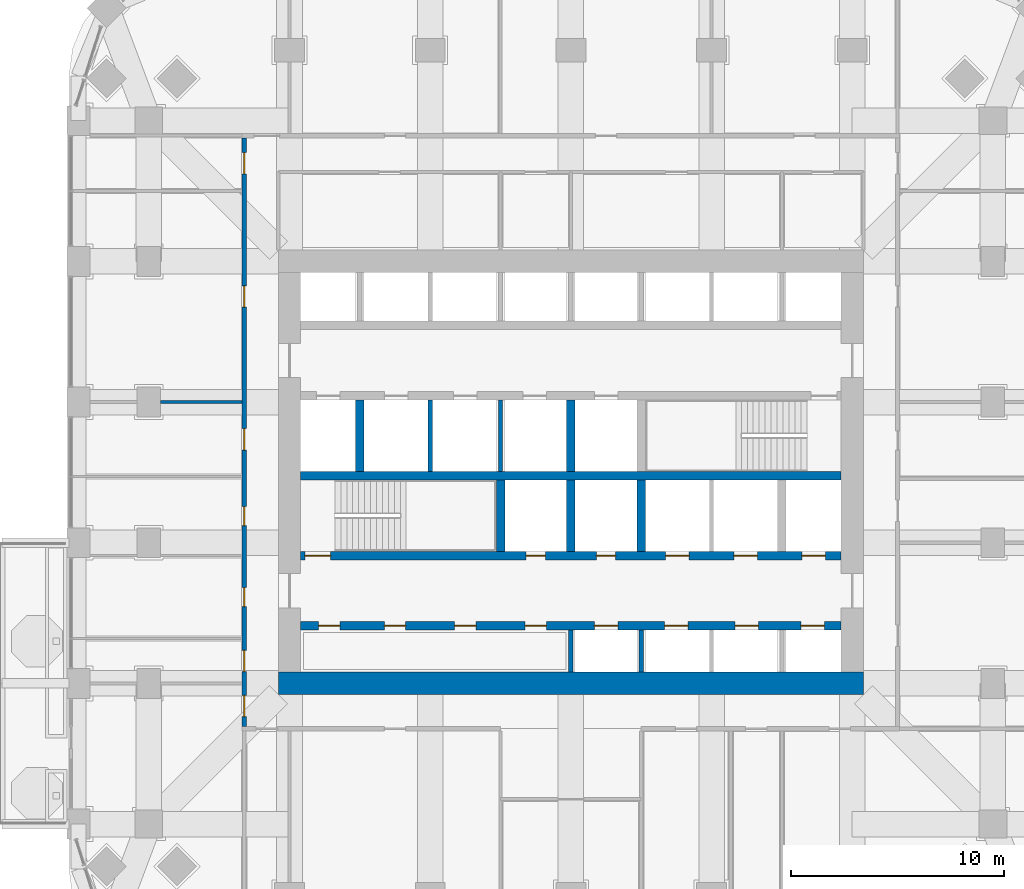
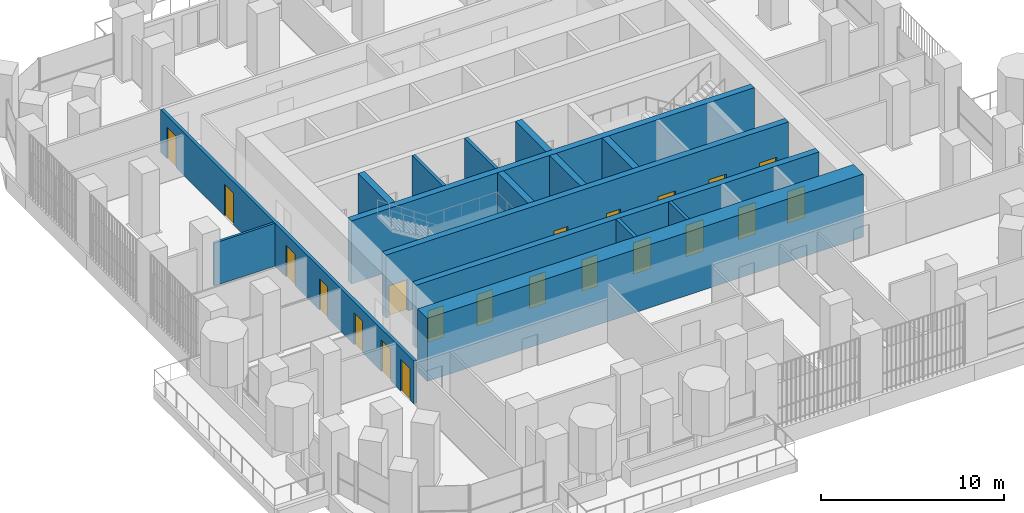
# One storey, part 14 of 21: 21 doors, 15 walls, 21 openings.
"""IFC4 building model written with IfcOpenShell, lengths in metres."""

from ifc_helpers import new_model, si_unit, direction, frame, frame_2d, origin, place, context, subcontext, project, spatial, rectangle, extrude, material, layer, layer_set, type_object, element, fill, save


model = new_model("IFC4")

# Units and contexts
model_context = context("Model", 3, precision=1e-05, world=origin(), true_north=direction((0.0, 1.0)))
body_context = subcontext(model_context, "Body", "Model", "MODEL_VIEW")
ifc_project = project(units=[si_unit("LENGTHUNIT", "METRE"), si_unit("AREAUNIT", "SQUARE_METRE"), si_unit("VOLUMEUNIT", "CUBIC_METRE"), si_unit("PLANEANGLEUNIT", "RADIAN"), si_unit("MASSUNIT", "GRAM", prefix="KILO")], contexts=[model_context])

# Site, building, storey
site_placement = place(None, origin())
site = spatial("IfcSite", under=ifc_project, at=site_placement, CompositionType="ELEMENT")
building_placement = place(site_placement, origin())
building = spatial("IfcBuilding", under=site, at=building_placement, Name="Cobogo Forest Laboratory Tower", CompositionType="ELEMENT")
storey_placement = place(building_placement, frame((0.0, 0.0, 115.800048828125)))
storey = spatial("IfcBuildingStorey", under=building, at=storey_placement, Name="L26", CompositionType="ELEMENT", Elevation=115.800048828125)

# Wall, openings, doors
ifc_material_1 = material(Name="Concrete HA-50 (C50/60)", Category="concrete")
ifc_layer_1 = layer(ifc_material_1, 0.39990234375)
ifc_layer_set_1 = layer_set([ifc_layer_1], Name="CI400 core inner wall 400")
wall_type_1 = type_object("IfcWallType", Name="CI400 core inner wall 400", PredefinedType="SHEAR", material=ifc_layer_set_1)
wall_1_placement = place(storey_placement, frame((13.72509765625, 15.89990234375, 0.0), z_axis=(0.0, 0.0, 1.0), x_axis=(1.0, 0.0, 0.0)))
wall_1 = element("IfcWall", 1, at=wall_1_placement, inside=storey, type_object=wall_type_1, Name="Core wall CI-15.9 L26", PredefinedType="SHEAR", context=body_context, shape_type="SweptSolid", body=[
    extrude(rectangle(XDim=25.349853515625, YDim=0.39990234375, at=frame_2d((12.6748046875, 0.0))), origin(), (0.0, 0.0, 1.0), 4.199951171875),
])
opening_1_placement = place(wall_1_placement, frame((0.83740234375, 0.0, 0.0)))
opening_1 = element("IfcOpeningElement", 2, at=opening_1_placement, cuts=wall_1, Name="Opening L26-D16", PredefinedType="OPENING", context=body_context, shape_type="SweptSolid", body=[
    extrude(rectangle(XDim=1.0, YDim=2.10009765625, at=frame_2d((0.5, 1.050048828125))), frame((0.0, 0.2099609375, 0.0), z_axis=(0.0, -1.0, 0.0), x_axis=(1.0, 0.0, 0.0)), (0.0, 0.0, 1.0), 0.419921875),
])
opening_2_placement = place(wall_1_placement, frame((3.925048828125, 0.0, 0.0)))
opening_2 = element("IfcOpeningElement", 3, at=opening_2_placement, cuts=wall_1, Name="Opening L26-D17", PredefinedType="OPENING", context=body_context, shape_type="SweptSolid", body=[
    extrude(rectangle(XDim=1.0, YDim=2.10009765625, at=frame_2d((0.5, 1.050048828125))), frame((0.0, 0.2099609375, 0.0), z_axis=(0.0, -1.0, 0.0), x_axis=(1.0, 0.0, 0.0)), (0.0, 0.0, 1.0), 0.419921875),
])
opening_3_placement = place(wall_1_placement, frame((7.22509765625, 0.0, 0.0)))
opening_3 = element("IfcOpeningElement", 4, at=opening_3_placement, cuts=wall_1, Name="Opening L26-D18", PredefinedType="OPENING", context=body_context, shape_type="SweptSolid", body=[
    extrude(rectangle(XDim=1.0, YDim=2.10009765625, at=frame_2d((0.5, 1.050048828125))), frame((0.0, 0.2099609375, 0.0), z_axis=(0.0, -1.0, 0.0), x_axis=(1.0, 0.0, 0.0)), (0.0, 0.0, 1.0), 0.419921875),
])
opening_4_placement = place(wall_1_placement, frame((10.52490234375, 0.0, 0.0)))
opening_4 = element("IfcOpeningElement", 5, at=opening_4_placement, cuts=wall_1, Name="Opening L26-D19", PredefinedType="OPENING", context=body_context, shape_type="SweptSolid", body=[
    extrude(rectangle(XDim=1.0, YDim=2.10009765625, at=frame_2d((0.5, 1.050048828125))), frame((0.0, 0.2099609375, 0.0), z_axis=(0.0, -1.0, 0.0), x_axis=(1.0, 0.0, 0.0)), (0.0, 0.0, 1.0), 0.419921875),
])
opening_5_placement = place(wall_1_placement, frame((13.77490234375, 0.0, 0.0)))
opening_5 = element("IfcOpeningElement", 6, at=opening_5_placement, cuts=wall_1, Name="Opening L26-LD-LB1", PredefinedType="OPENING", context=body_context, shape_type="SweptSolid", body=[
    extrude(rectangle(XDim=1.10009765625, YDim=2.10009765625, at=frame_2d((0.550048828125, 1.050048828125))), frame((0.0, 0.2099609375, 0.0), z_axis=(0.0, -1.0, 0.0), x_axis=(1.0, 0.0, 0.0)), (0.0, 0.0, 1.0), 0.419921875),
])
opening_6_placement = place(wall_1_placement, frame((17.074951171875, 0.0, 0.0)))
opening_6 = element("IfcOpeningElement", 7, at=opening_6_placement, cuts=wall_1, Name="Opening L26-LD-LB2", PredefinedType="OPENING", context=body_context, shape_type="SweptSolid", body=[
    extrude(rectangle(XDim=1.10009765625, YDim=2.10009765625, at=frame_2d((0.550048828125, 1.050048828125))), frame((0.0, 0.2099609375, 0.0), z_axis=(0.0, -1.0, 0.0), x_axis=(1.0, 0.0, 0.0)), (0.0, 0.0, 1.0), 0.419921875),
])
opening_7_placement = place(wall_1_placement, frame((20.375, 0.0, 0.0)))
opening_7 = element("IfcOpeningElement", 8, at=opening_7_placement, cuts=wall_1, Name="Opening L26-LD-LB3", PredefinedType="OPENING", context=body_context, shape_type="SweptSolid", body=[
    extrude(rectangle(XDim=1.10009765625, YDim=2.10009765625, at=frame_2d((0.550048828125, 1.050048828125))), frame((0.0, 0.2099609375, 0.0), z_axis=(0.0, -1.0, 0.0), x_axis=(1.0, 0.0, 0.0)), (0.0, 0.0, 1.0), 0.419921875),
])
opening_8_placement = place(wall_1_placement, frame((23.46240234375, 0.0, 0.0)))
opening_8 = element("IfcOpeningElement", 9, at=opening_8_placement, cuts=wall_1, Name="Opening L26-LD-LB4", PredefinedType="OPENING", context=body_context, shape_type="SweptSolid", body=[
    extrude(rectangle(XDim=1.10009765625, YDim=2.10009765625, at=frame_2d((0.550048828125, 1.050048828125))), frame((0.0, 0.2099609375, 0.0), z_axis=(0.0, -1.0, 0.0), x_axis=(1.0, 0.0, 0.0)), (0.0, 0.0, 1.0), 0.419921875),
])
ifc_material_2 = material(Name="Steel fire door", Category="steel")
door_type_1 = type_object("IfcDoorType", Name="FD1 fire door 1000 EI2 60", OperationType="SINGLE_SWING_LEFT", PredefinedType="DOOR", material=ifc_material_2)
door_1_placement = place(opening_1_placement, origin())
door_1 = element("IfcDoor", 10, at=door_1_placement, inside=storey, type_object=door_type_1, Name="Door L26-SH-LA1", OperationType="SINGLE_SWING_LEFT", OverallHeight=2.10009765625, OverallWidth=1.0, PredefinedType="DOOR", context=body_context, shape_type="SweptSolid", body=[
    extrude(rectangle(XDim=1.0, YDim=2.10009765625, at=frame_2d((0.5, 1.050048828125))), frame((0.0, 0.02490234375, 0.0), z_axis=(0.0, -1.0, 0.0), x_axis=(1.0, 0.0, 0.0)), (0.0, 0.0, 1.0), 0.050048828125),
])
fill(opening_1, door_1)
door_2_placement = place(opening_2_placement, origin())
door_2 = element("IfcDoor", 11, at=door_2_placement, inside=storey, type_object=door_type_1, Name="Door L26-SH-LA2", OperationType="SINGLE_SWING_LEFT", OverallHeight=2.10009765625, OverallWidth=1.0, PredefinedType="DOOR", context=body_context, shape_type="SweptSolid", body=[
    extrude(rectangle(XDim=1.0, YDim=2.10009765625, at=frame_2d((0.5, 1.050048828125))), frame((0.0, 0.02490234375, 0.0), z_axis=(0.0, -1.0, 0.0), x_axis=(1.0, 0.0, 0.0)), (0.0, 0.0, 1.0), 0.050048828125),
])
fill(opening_2, door_2)
door_3_placement = place(opening_3_placement, origin())
door_3 = element("IfcDoor", 12, at=door_3_placement, inside=storey, type_object=door_type_1, Name="Door L26-SH-LA3", OperationType="SINGLE_SWING_LEFT", OverallHeight=2.10009765625, OverallWidth=1.0, PredefinedType="DOOR", context=body_context, shape_type="SweptSolid", body=[
    extrude(rectangle(XDim=1.0, YDim=2.10009765625, at=frame_2d((0.5, 1.050048828125))), frame((0.0, 0.02490234375, 0.0), z_axis=(0.0, -1.0, 0.0), x_axis=(1.0, 0.0, 0.0)), (0.0, 0.0, 1.0), 0.050048828125),
])
fill(opening_3, door_3)
door_4_placement = place(opening_4_placement, origin())
door_4 = element("IfcDoor", 13, at=door_4_placement, inside=storey, type_object=door_type_1, Name="Door L26-SH-LA4", OperationType="SINGLE_SWING_LEFT", OverallHeight=2.10009765625, OverallWidth=1.0, PredefinedType="DOOR", context=body_context, shape_type="SweptSolid", body=[
    extrude(rectangle(XDim=1.0, YDim=2.10009765625, at=frame_2d((0.5, 1.050048828125))), frame((0.0, 0.02490234375, 0.0), z_axis=(0.0, -1.0, 0.0), x_axis=(1.0, 0.0, 0.0)), (0.0, 0.0, 1.0), 0.050048828125),
])
fill(opening_4, door_4)
ifc_material_3 = material(Name="Stainless steel lift door", Category="steel")
door_type_2 = type_object("IfcDoorType", Name="LD lift landing door 1100", OperationType="DOUBLE_DOOR_SLIDING", PredefinedType="DOOR", material=ifc_material_3)
door_5_placement = place(opening_5_placement, origin())
door_5 = element("IfcDoor", 14, at=door_5_placement, inside=storey, type_object=door_type_2, Name="Lift landing door LB1 L26", OperationType="DOUBLE_DOOR_SLIDING", OverallHeight=2.10009765625, OverallWidth=1.10009765625, PredefinedType="DOOR", context=body_context, shape_type="SweptSolid", body=[
    extrude(rectangle(XDim=1.10009765625, YDim=2.10009765625, at=frame_2d((0.550048828125, 1.050048828125))), frame((0.0, 0.02490234375, 0.0), z_axis=(0.0, -1.0, 0.0), x_axis=(1.0, 0.0, 0.0)), (0.0, 0.0, 1.0), 0.050048828125),
])
fill(opening_5, door_5)
door_6_placement = place(opening_6_placement, origin())
door_6 = element("IfcDoor", 15, at=door_6_placement, inside=storey, type_object=door_type_2, Name="Lift landing door LB2 L26", OperationType="DOUBLE_DOOR_SLIDING", OverallHeight=2.10009765625, OverallWidth=1.10009765625, PredefinedType="DOOR", context=body_context, shape_type="SweptSolid", body=[
    extrude(rectangle(XDim=1.10009765625, YDim=2.10009765625, at=frame_2d((0.550048828125, 1.050048828125))), frame((0.0, 0.02490234375, 0.0), z_axis=(0.0, -1.0, 0.0), x_axis=(1.0, 0.0, 0.0)), (0.0, 0.0, 1.0), 0.050048828125),
])
fill(opening_6, door_6)
door_7_placement = place(opening_7_placement, origin())
door_7 = element("IfcDoor", 16, at=door_7_placement, inside=storey, type_object=door_type_2, Name="Lift landing door LB3 L26", OperationType="DOUBLE_DOOR_SLIDING", OverallHeight=2.10009765625, OverallWidth=1.10009765625, PredefinedType="DOOR", context=body_context, shape_type="SweptSolid", body=[
    extrude(rectangle(XDim=1.10009765625, YDim=2.10009765625, at=frame_2d((0.550048828125, 1.050048828125))), frame((0.0, 0.02490234375, 0.0), z_axis=(0.0, -1.0, 0.0), x_axis=(1.0, 0.0, 0.0)), (0.0, 0.0, 1.0), 0.050048828125),
])
fill(opening_7, door_7)
door_8_placement = place(opening_8_placement, origin())
door_8 = element("IfcDoor", 17, at=door_8_placement, inside=storey, type_object=door_type_2, Name="Lift landing door LB4 L26", OperationType="DOUBLE_DOOR_SLIDING", OverallHeight=2.10009765625, OverallWidth=1.10009765625, PredefinedType="DOOR", context=body_context, shape_type="SweptSolid", body=[
    extrude(rectangle(XDim=1.10009765625, YDim=2.10009765625, at=frame_2d((0.550048828125, 1.050048828125))), frame((0.0, 0.02490234375, 0.0), z_axis=(0.0, -1.0, 0.0), x_axis=(1.0, 0.0, 0.0)), (0.0, 0.0, 1.0), 0.050048828125),
])
fill(opening_8, door_8)

wall_2_placement = place(storey_placement, frame((13.72509765625, 19.199951171875, 0.0), z_axis=(0.0, 0.0, 1.0), x_axis=(1.0, 0.0, 0.0)))
wall_2 = element("IfcWall", 18, at=wall_2_placement, inside=storey, type_object=wall_type_1, Name="Core wall CI-19.2 L26", PredefinedType="SHEAR", context=body_context, shape_type="SweptSolid", body=[
    extrude(rectangle(XDim=25.349853515625, YDim=0.39990234375, at=frame_2d((12.6748046875, 0.0))), origin(), (0.0, 0.0, 1.0), 4.199951171875),
])
opening_9_placement = place(wall_2_placement, frame((10.574951171875, 0.0, 0.0)))
opening_9 = element("IfcOpeningElement", 19, at=opening_9_placement, cuts=wall_2, Name="Opening L26-D24", PredefinedType="OPENING", context=body_context, shape_type="SweptSolid", body=[
    extrude(rectangle(XDim=0.89990234375, YDim=2.10009765625, at=frame_2d((0.449951171875, 1.050048828125))), frame((0.0, 0.2099609375, 0.0), z_axis=(0.0, -1.0, 0.0), x_axis=(1.0, 0.0, 0.0)), (0.0, 0.0, 1.0), 0.419921875),
])
opening_10_placement = place(wall_2_placement, frame((13.875, 0.0, 0.0)))
opening_10 = element("IfcOpeningElement", 20, at=opening_10_placement, cuts=wall_2, Name="Opening L26-D25", PredefinedType="OPENING", context=body_context, shape_type="SweptSolid", body=[
    extrude(rectangle(XDim=0.89990234375, YDim=2.10009765625, at=frame_2d((0.449951171875, 1.050048828125))), frame((0.0, 0.2099609375, 0.0), z_axis=(0.0, -1.0, 0.0), x_axis=(1.0, 0.0, 0.0)), (0.0, 0.0, 1.0), 0.419921875),
])
opening_11_placement = place(wall_2_placement, frame((0.199951171875, 0.0, 0.0)))
opening_11 = element("IfcOpeningElement", 21, at=opening_11_placement, cuts=wall_2, Name="Opening L26-D23", PredefinedType="OPENING", context=body_context, shape_type="SweptSolid", body=[
    extrude(rectangle(XDim=1.199951171875, YDim=2.10009765625, at=frame_2d((0.60009765625, 1.050048828125))), frame((0.0, 0.2099609375, 0.0), z_axis=(0.0, -1.0, 0.0), x_axis=(1.0, 0.0, 0.0)), (0.0, 0.0, 1.0), 0.419921875),
])
opening_12_placement = place(wall_2_placement, frame((23.512451171875, 0.0, 0.0)))
opening_12 = element("IfcOpeningElement", 22, at=opening_12_placement, cuts=wall_2, Name="Opening L26-LD-FL2", PredefinedType="OPENING", context=body_context, shape_type="SweptSolid", body=[
    extrude(rectangle(XDim=1.10009765625, YDim=2.10009765625, at=frame_2d((0.550048828125, 1.050048828125))), frame((0.0, 0.2099609375, 0.0), z_axis=(0.0, -1.0, 0.0), x_axis=(1.0, 0.0, 0.0)), (0.0, 0.0, 1.0), 0.419921875),
])
opening_13_placement = place(wall_2_placement, frame((17.125, 0.0, 0.0)))
opening_13 = element("IfcOpeningElement", 23, at=opening_13_placement, cuts=wall_2, Name="Opening L26-LD-LS1", PredefinedType="OPENING", context=body_context, shape_type="SweptSolid", body=[
    extrude(rectangle(XDim=1.10009765625, YDim=2.10009765625, at=frame_2d((0.550048828125, 1.050048828125))), frame((0.0, 0.2099609375, 0.0), z_axis=(0.0, -1.0, 0.0), x_axis=(1.0, 0.0, 0.0)), (0.0, 0.0, 1.0), 0.419921875),
])
opening_14_placement = place(wall_2_placement, frame((20.324951171875, 0.0, 0.0)))
opening_14 = element("IfcOpeningElement", 24, at=opening_14_placement, cuts=wall_2, Name="Opening L26-LD-LS2", PredefinedType="OPENING", context=body_context, shape_type="SweptSolid", body=[
    extrude(rectangle(XDim=1.10009765625, YDim=2.10009765625, at=frame_2d((0.550048828125, 1.050048828125))), frame((0.0, 0.2099609375, 0.0), z_axis=(0.0, -1.0, 0.0), x_axis=(1.0, 0.0, 0.0)), (0.0, 0.0, 1.0), 0.419921875),
])
door_type_3 = type_object("IfcDoorType", Name="DS1 protected stair door 1200 EI2 60", OperationType="SINGLE_SWING_LEFT", PredefinedType="DOOR", material=ifc_material_2)
door_9_placement = place(opening_11_placement, origin())
door_9 = element("IfcDoor", 25, at=door_9_placement, inside=storey, type_object=door_type_3, Name="Door L26-ST1", OperationType="SINGLE_SWING_LEFT", OverallHeight=2.10009765625, OverallWidth=1.199951171875, PredefinedType="DOOR", context=body_context, shape_type="SweptSolid", body=[
    extrude(rectangle(XDim=1.199951171875, YDim=2.10009765625, at=frame_2d((0.60009765625, 1.050048828125))), frame((0.0, 0.02490234375, 0.0), z_axis=(0.0, -1.0, 0.0), x_axis=(1.0, 0.0, 0.0)), (0.0, 0.0, 1.0), 0.050048828125),
])
fill(opening_11, door_9)
door_type_4 = type_object("IfcDoorType", Name="FD4 riser access door 900 EI2 60", OperationType="SINGLE_SWING_LEFT", PredefinedType="DOOR", material=ifc_material_2)
door_10_placement = place(opening_9_placement, origin())
door_10 = element("IfcDoor", 26, at=door_10_placement, inside=storey, type_object=door_type_4, Name="Door L26-R1", OperationType="SINGLE_SWING_LEFT", OverallHeight=2.10009765625, OverallWidth=0.89990234375, PredefinedType="DOOR", context=body_context, shape_type="SweptSolid", body=[
    extrude(rectangle(XDim=0.89990234375, YDim=2.10009765625, at=frame_2d((0.449951171875, 1.050048828125))), frame((0.0, 0.02490234375, 0.0), z_axis=(0.0, -1.0, 0.0), x_axis=(1.0, 0.0, 0.0)), (0.0, 0.0, 1.0), 0.050048828125),
])
fill(opening_9, door_10)
door_11_placement = place(opening_10_placement, origin())
door_11 = element("IfcDoor", 27, at=door_11_placement, inside=storey, type_object=door_type_4, Name="Door L26-R2", OperationType="SINGLE_SWING_RIGHT", OverallHeight=2.10009765625, OverallWidth=0.89990234375, PredefinedType="DOOR", context=body_context, shape_type="SweptSolid", body=[
    extrude(rectangle(XDim=0.89990234375, YDim=2.10009765625, at=frame_2d((0.449951171875, 1.050048828125))), frame((0.0, 0.02490234375, 0.0), z_axis=(0.0, -1.0, 0.0), x_axis=(1.0, 0.0, 0.0)), (0.0, 0.0, 1.0), 0.050048828125),
])
fill(opening_10, door_11)
door_12_placement = place(opening_12_placement, origin())
door_12 = element("IfcDoor", 28, at=door_12_placement, inside=storey, type_object=door_type_2, Name="Lift landing door FL2 L26", OperationType="DOUBLE_DOOR_SLIDING", OverallHeight=2.10009765625, OverallWidth=1.10009765625, PredefinedType="DOOR", context=body_context, shape_type="SweptSolid", body=[
    extrude(rectangle(XDim=1.10009765625, YDim=2.10009765625, at=frame_2d((0.550048828125, 1.050048828125))), frame((0.0, 0.02490234375, 0.0), z_axis=(0.0, -1.0, 0.0), x_axis=(1.0, 0.0, 0.0)), (0.0, 0.0, 1.0), 0.050048828125),
])
fill(opening_12, door_12)
door_13_placement = place(opening_13_placement, origin())
door_13 = element("IfcDoor", 29, at=door_13_placement, inside=storey, type_object=door_type_2, Name="Lift landing door LS1 L26", OperationType="DOUBLE_DOOR_SLIDING", OverallHeight=2.10009765625, OverallWidth=1.10009765625, PredefinedType="DOOR", context=body_context, shape_type="SweptSolid", body=[
    extrude(rectangle(XDim=1.10009765625, YDim=2.10009765625, at=frame_2d((0.550048828125, 1.050048828125))), frame((0.0, 0.02490234375, 0.0), z_axis=(0.0, -1.0, 0.0), x_axis=(1.0, 0.0, 0.0)), (0.0, 0.0, 1.0), 0.050048828125),
])
fill(opening_13, door_13)
door_14_placement = place(opening_14_placement, origin())
door_14 = element("IfcDoor", 30, at=door_14_placement, inside=storey, type_object=door_type_2, Name="Lift landing door LS2 L26", OperationType="DOUBLE_DOOR_SLIDING", OverallHeight=2.10009765625, OverallWidth=1.10009765625, PredefinedType="DOOR", context=body_context, shape_type="SweptSolid", body=[
    extrude(rectangle(XDim=1.10009765625, YDim=2.10009765625, at=frame_2d((0.550048828125, 1.050048828125))), frame((0.0, 0.02490234375, 0.0), z_axis=(0.0, -1.0, 0.0), x_axis=(1.0, 0.0, 0.0)), (0.0, 0.0, 1.0), 0.050048828125),
])
fill(opening_14, door_14)

# Walls
wall_3_placement = place(storey_placement, frame((13.72509765625, 22.949951171875, 0.0), z_axis=(0.0, 0.0, 1.0), x_axis=(1.0, 0.0, 0.0)))
element("IfcWall", 31, at=wall_3_placement, inside=storey, type_object=wall_type_1, Name="Core wall CI-22.95 L26", PredefinedType="SHEAR", context=body_context, shape_type="SweptSolid", body=[
    extrude(rectangle(XDim=25.349853515625, YDim=0.39990234375, at=frame_2d((12.6748046875, 0.0))), origin(), (0.0, 0.0, 1.0), 4.199951171875),
])
for number, where, z_axis, x_axis, name in (
    (32, (23.10009765625, 19.39990234375, 0.0), (0.0, 0.0, 1.0), (0.0, 1.0, 0.0), "Core wall CX-23.1 L26"),
    (33, (26.39990234375, 19.39990234375, 0.0), (0.0, 0.0, 1.0), (0.0, 1.0, 0.0), "Core wall CX-26.4S L26"),
    (34, (29.699951171875, 19.39990234375, 0.0), (0.0, 0.0, 1.0), (0.0, 1.0, 0.0), "Core wall CX-29.7S L26"),
    (35, (16.5, 23.14990234375, 0.0), (0.0, 0.0, 1.0), (0.0, 1.0, 0.0), "Core wall CX-16.5 L26"),
    (36, (26.39990234375, 23.14990234375, 0.0), (0.0, 0.0, 1.0), (0.0, 1.0, 0.0), "Core wall CX-26.4N L26"),
):
    element("IfcWall", number, at=place(storey_placement, frame(where, z_axis=z_axis, x_axis=x_axis)), inside=storey, type_object=wall_type_1, Name=name, PredefinedType="SHEAR", context=body_context, shape_type="SweptSolid", body=[
        extrude(rectangle(XDim=3.35009765625, YDim=0.39990234375, at=frame_2d((1.675048828125, 0.0))), origin(), (0.0, 0.0, 1.0), 4.199951171875),
    ])
ifc_layer_2 = layer(ifc_material_1, 1.050048828125)
ifc_layer_set_2 = layer_set([ifc_layer_2], Name="CW1050 core outer wall 1050")
wall_type_2 = type_object("IfcWallType", Name="CW1050 core outer wall 1050", PredefinedType="SHEAR", material=ifc_layer_set_2)
wall_4_placement = place(storey_placement, frame((12.675048828125, 13.199951171875, 0.0), z_axis=(0.0, 0.0, 1.0), x_axis=(1.0, 0.0, 0.0)))
element("IfcWall", 37, at=wall_4_placement, inside=storey, type_object=wall_type_2, Name="Core wall CO-S L26", PredefinedType="SHEAR", context=body_context, shape_type="SweptSolid", body=[
    extrude(rectangle(XDim=27.449951171875, YDim=1.050048828125, at=frame_2d((13.72509765625, 0.0))), origin(), (0.0, 0.0, 1.0), 4.199951171875),
])
ifc_material_4 = material(Name="Gypsum board on steel studs", Category="steel")
ifc_layer_3 = layer(ifc_material_4, 0.14990234375)
ifc_layer_set_3 = layer_set([ifc_layer_3], Name="PT1 laboratory partition 150")
wall_type_3 = type_object("IfcWallType", Name="PT1 laboratory partition 150", PredefinedType="PARTITIONING", material=ifc_layer_set_3)
wall_5_placement = place(storey_placement, frame((7.14990234375, 26.39990234375, 0.0), z_axis=(0.0, 0.0, 1.0), x_axis=(1.0, 0.0, 0.0)))
element("IfcWall", 38, at=wall_5_placement, inside=storey, type_object=wall_type_3, Name="Partition CUT-W26.4-2 L26", PredefinedType="PARTITIONING", context=body_context, shape_type="SweptSolid", body=[
    extrude(rectangle(XDim=3.8251953125, YDim=0.14990234375, at=frame_2d((1.91259765625, 0.0))), origin(), (0.0, 0.0, 1.0), 2.849853515625),
])

# Wall, openings, doors
ifc_layer_4 = layer(ifc_material_4, 0.199951171875)
ifc_layer_set_4 = layer_set([ifc_layer_4], Name="PT2 fire-rated corridor partition 200")
wall_type_4 = type_object("IfcWallType", Name="PT2 fire-rated corridor partition 200", PredefinedType="PARTITIONING", material=ifc_layer_set_4)
wall_6_placement = place(storey_placement, frame((11.074951171875, 11.175048828125, 0.0), z_axis=(0.0, 0.0, 1.0), x_axis=(0.0, 1.0, 0.0)))
wall_6 = element("IfcWall", 39, at=wall_6_placement, inside=storey, type_object=wall_type_4, Name="Partition CORR-W L26", PredefinedType="PARTITIONING", context=body_context, shape_type="SweptSolid", body=[
    extrude(rectangle(XDim=27.625, YDim=0.199951171875, at=frame_2d((13.8125, 0.0))), origin(), (0.0, 0.0, 1.0), 2.849853515625),
])
opening_15_placement = place(wall_6_placement, frame((0.46240234375, 0.0, 0.0)))
opening_15 = element("IfcOpeningElement", 40, at=opening_15_placement, cuts=wall_6, Name="Opening L26-D13", PredefinedType="OPENING", context=body_context, shape_type="SweptSolid", body=[
    extrude(rectangle(XDim=1.0, YDim=2.10009765625, at=frame_2d((0.5, 1.050048828125))), frame((0.0, 0.10986328125, 0.0), z_axis=(0.0, -1.0, 0.0), x_axis=(1.0, 0.0, 0.0)), (0.0, 0.0, 1.0), 0.219970703125),
])
opening_16_placement = place(wall_6_placement, frame((2.574951171875, 0.0, 0.0)))
opening_16 = element("IfcOpeningElement", 41, at=opening_16_placement, cuts=wall_6, Name="Opening L26-D14", PredefinedType="OPENING", context=body_context, shape_type="SweptSolid", body=[
    extrude(rectangle(XDim=1.0, YDim=2.10009765625, at=frame_2d((0.5, 1.050048828125))), frame((0.0, 0.10986328125, 0.0), z_axis=(0.0, -1.0, 0.0), x_axis=(1.0, 0.0, 0.0)), (0.0, 0.0, 1.0), 0.219970703125),
])
opening_17_placement = place(wall_6_placement, frame((5.625, 0.0, 0.0)))
opening_17 = element("IfcOpeningElement", 42, at=opening_17_placement, cuts=wall_6, Name="Opening L26-D20", PredefinedType="OPENING", context=body_context, shape_type="SweptSolid", body=[
    extrude(rectangle(XDim=0.89990234375, YDim=2.10009765625, at=frame_2d((0.449951171875, 1.050048828125))), frame((0.0, 0.10986328125, 0.0), z_axis=(0.0, -1.0, 0.0), x_axis=(1.0, 0.0, 0.0)), (0.0, 0.0, 1.0), 0.219970703125),
])
opening_18_placement = place(wall_6_placement, frame((9.425048828125, 0.0, 0.0)))
opening_18 = element("IfcOpeningElement", 43, at=opening_18_placement, cuts=wall_6, Name="Opening L26-D26", PredefinedType="OPENING", context=body_context, shape_type="SweptSolid", body=[
    extrude(rectangle(XDim=0.89990234375, YDim=2.10009765625, at=frame_2d((0.449951171875, 1.050048828125))), frame((0.0, 0.10986328125, 0.0), z_axis=(0.0, -1.0, 0.0), x_axis=(1.0, 0.0, 0.0)), (0.0, 0.0, 1.0), 0.219970703125),
])
opening_19_placement = place(wall_6_placement, frame((12.97509765625, 0.0, 0.0)))
opening_19 = element("IfcOpeningElement", 44, at=opening_19_placement, cuts=wall_6, Name="Opening L26-D29", PredefinedType="OPENING", context=body_context, shape_type="SweptSolid", body=[
    extrude(rectangle(XDim=1.0, YDim=2.10009765625, at=frame_2d((0.5, 1.050048828125))), frame((0.0, 0.10986328125, 0.0), z_axis=(0.0, -1.0, 0.0), x_axis=(1.0, 0.0, 0.0)), (0.0, 0.0, 1.0), 0.219970703125),
])
opening_20_placement = place(wall_6_placement, frame((19.675048828125, 0.0, 0.0)))
opening_20 = element("IfcOpeningElement", 45, at=opening_20_placement, cuts=wall_6, Name="Opening L26-D33", PredefinedType="OPENING", context=body_context, shape_type="SweptSolid", body=[
    extrude(rectangle(XDim=1.0, YDim=2.10009765625, at=frame_2d((0.5, 1.050048828125))), frame((0.0, 0.10986328125, 0.0), z_axis=(0.0, -1.0, 0.0), x_axis=(1.0, 0.0, 0.0)), (0.0, 0.0, 1.0), 0.219970703125),
])
opening_21_placement = place(wall_6_placement, frame((25.925048828125, 0.0, 0.0)))
opening_21 = element("IfcOpeningElement", 46, at=opening_21_placement, cuts=wall_6, Name="Opening L26-D39", PredefinedType="OPENING", context=body_context, shape_type="SweptSolid", body=[
    extrude(rectangle(XDim=1.0, YDim=2.10009765625, at=frame_2d((0.5, 1.050048828125))), frame((0.0, 0.10986328125, 0.0), z_axis=(0.0, -1.0, 0.0), x_axis=(1.0, 0.0, 0.0)), (0.0, 0.0, 1.0), 0.219970703125),
])
ifc_material_5 = material(Name="Timber fire door", Category="wood")
door_type_5 = type_object("IfcDoorType", Name="FD2 fire door 1000 EI2 30", OperationType="SINGLE_SWING_LEFT", PredefinedType="DOOR", material=ifc_material_5)
door_15_placement = place(opening_15_placement, origin())
door_15 = element("IfcDoor", 47, at=door_15_placement, inside=storey, type_object=door_type_5, Name="Door L26-W1", OperationType="SINGLE_SWING_LEFT", OverallHeight=2.10009765625, OverallWidth=1.0, PredefinedType="DOOR", context=body_context, shape_type="SweptSolid", body=[
    extrude(rectangle(XDim=1.0, YDim=2.10009765625, at=frame_2d((0.5, 1.050048828125))), frame((0.0, 0.02490234375, 0.0), z_axis=(0.0, -1.0, 0.0), x_axis=(1.0, 0.0, 0.0)), (0.0, 0.0, 1.0), 0.050048828125),
])
fill(opening_15, door_15)
door_16_placement = place(opening_19_placement, origin())
door_16 = element("IfcDoor", 48, at=door_16_placement, inside=storey, type_object=door_type_5, Name="Door L26-SHW", OperationType="SINGLE_SWING_LEFT", OverallHeight=2.10009765625, OverallWidth=1.0, PredefinedType="DOOR", context=body_context, shape_type="SweptSolid", body=[
    extrude(rectangle(XDim=1.0, YDim=2.10009765625, at=frame_2d((0.5, 1.050048828125))), frame((0.0, 0.02490234375, 0.0), z_axis=(0.0, -1.0, 0.0), x_axis=(1.0, 0.0, 0.0)), (0.0, 0.0, 1.0), 0.050048828125),
])
fill(opening_19, door_16)
door_17_placement = place(opening_20_placement, origin())
door_17 = element("IfcDoor", 49, at=door_17_placement, inside=storey, type_object=door_type_5, Name="Door L26-W3", OperationType="SINGLE_SWING_RIGHT", OverallHeight=2.10009765625, OverallWidth=1.0, PredefinedType="DOOR", context=body_context, shape_type="SweptSolid", body=[
    extrude(rectangle(XDim=1.0, YDim=2.10009765625, at=frame_2d((0.5, 1.050048828125))), frame((0.0, 0.02490234375, 0.0), z_axis=(0.0, -1.0, 0.0), x_axis=(1.0, 0.0, 0.0)), (0.0, 0.0, 1.0), 0.050048828125),
])
fill(opening_20, door_17)
door_18_placement = place(opening_21_placement, origin())
door_18 = element("IfcDoor", 50, at=door_18_placement, inside=storey, type_object=door_type_5, Name="Door L26-W4", OperationType="SINGLE_SWING_RIGHT", OverallHeight=2.10009765625, OverallWidth=1.0, PredefinedType="DOOR", context=body_context, shape_type="SweptSolid", body=[
    extrude(rectangle(XDim=1.0, YDim=2.10009765625, at=frame_2d((0.5, 1.050048828125))), frame((0.0, 0.02490234375, 0.0), z_axis=(0.0, -1.0, 0.0), x_axis=(1.0, 0.0, 0.0)), (0.0, 0.0, 1.0), 0.050048828125),
])
fill(opening_21, door_18)
door_type_6 = type_object("IfcDoorType", Name="FD3 toilet fire door 900 EI2 30", OperationType="SINGLE_SWING_LEFT", PredefinedType="DOOR", material=ifc_material_5)
door_19_placement = place(opening_17_placement, origin())
door_19 = element("IfcDoor", 51, at=door_19_placement, inside=storey, type_object=door_type_6, Name="Door L26-WCF", OperationType="SINGLE_SWING_LEFT", OverallHeight=2.10009765625, OverallWidth=0.89990234375, PredefinedType="DOOR", context=body_context, shape_type="SweptSolid", body=[
    extrude(rectangle(XDim=0.89990234375, YDim=2.10009765625, at=frame_2d((0.449951171875, 1.050048828125))), frame((0.0, 0.02490234375, 0.0), z_axis=(0.0, -1.0, 0.0), x_axis=(1.0, 0.0, 0.0)), (0.0, 0.0, 1.0), 0.050048828125),
])
fill(opening_17, door_19)
door_20_placement = place(opening_18_placement, origin())
door_20 = element("IfcDoor", 52, at=door_20_placement, inside=storey, type_object=door_type_6, Name="Door L26-WCM", OperationType="SINGLE_SWING_LEFT", OverallHeight=2.10009765625, OverallWidth=0.89990234375, PredefinedType="DOOR", context=body_context, shape_type="SweptSolid", body=[
    extrude(rectangle(XDim=0.89990234375, YDim=2.10009765625, at=frame_2d((0.449951171875, 1.050048828125))), frame((0.0, 0.02490234375, 0.0), z_axis=(0.0, -1.0, 0.0), x_axis=(1.0, 0.0, 0.0)), (0.0, 0.0, 1.0), 0.050048828125),
])
fill(opening_18, door_20)
door_type_7 = type_object("IfcDoorType", Name="FDA1 accessible toilet fire door 1000 EI2 30", OperationType="SINGLE_SWING_RIGHT", PredefinedType="DOOR", material=ifc_material_5)
door_21_placement = place(opening_16_placement, origin())
door_21 = element("IfcDoor", 53, at=door_21_placement, inside=storey, type_object=door_type_7, Name="Door L26-WCA", OperationType="SINGLE_SWING_LEFT", OverallHeight=2.10009765625, OverallWidth=1.0, PredefinedType="DOOR", context=body_context, shape_type="SweptSolid", body=[
    extrude(rectangle(XDim=1.0, YDim=2.10009765625, at=frame_2d((0.5, 1.050048828125))), frame((0.0, 0.02490234375, 0.0), z_axis=(0.0, -1.0, 0.0), x_axis=(1.0, 0.0, 0.0)), (0.0, 0.0, 1.0), 0.050048828125),
])
fill(opening_16, door_21)

# Walls
ifc_material_6 = material(Name="Concrete block", Category="concrete")
ifc_layer_5 = layer(ifc_material_6, 0.199951171875)
ifc_layer_set_5 = layer_set([ifc_layer_5], Name="SW200 lift shaft separator 200")
wall_type_5 = type_object("IfcWallType", Name="SW200 lift shaft separator 200", PredefinedType="PARTITIONING", material=ifc_layer_set_5)
for number, where, z_axis, x_axis, name in (
    (54, (26.39990234375, 13.72509765625, 0.0), (0.0, 0.0, 1.0), (0.0, 1.0, 0.0), "Core wall SEP-S4 L26"),
    (55, (29.699951171875, 13.72509765625, 0.0), (0.0, 0.0, 1.0), (0.0, 1.0, 0.0), "Core wall SEP-S5 L26"),
):
    element("IfcWall", number, at=place(storey_placement, frame(where, z_axis=z_axis, x_axis=x_axis)), inside=storey, type_object=wall_type_5, Name=name, PredefinedType="PARTITIONING", context=body_context, shape_type="SweptSolid", body=[
        extrude(rectangle(XDim=1.974853515625, YDim=0.199951171875, at=frame_2d((0.9873046875, 0.0))), origin(), (0.0, 0.0, 1.0), 4.199951171875),
    ])
for number, where, z_axis, x_axis, name in (
    (56, (19.800048828125, 23.14990234375, 0.0), (0.0, 0.0, 1.0), (0.0, 1.0, 0.0), "Core wall SEP-M19.8 L26"),
    (57, (23.10009765625, 23.14990234375, 0.0), (0.0, 0.0, 1.0), (0.0, 1.0, 0.0), "Core wall SEP-M23.1 L26"),
):
    element("IfcWall", number, at=place(storey_placement, frame(where, z_axis=z_axis, x_axis=x_axis)), inside=storey, type_object=wall_type_5, Name=name, PredefinedType="PARTITIONING", context=body_context, shape_type="SweptSolid", body=[
        extrude(rectangle(XDim=3.35009765625, YDim=0.199951171875, at=frame_2d((1.675048828125, 0.0))), origin(), (0.0, 0.0, 1.0), 4.199951171875),
    ])

save(model, "model.ifc")
